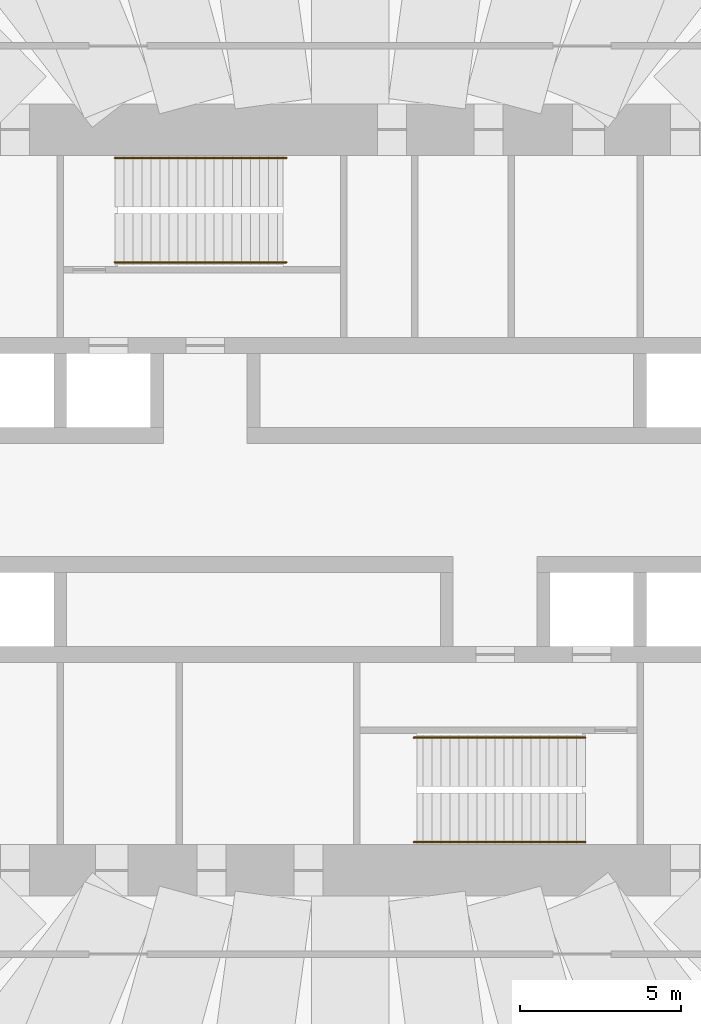
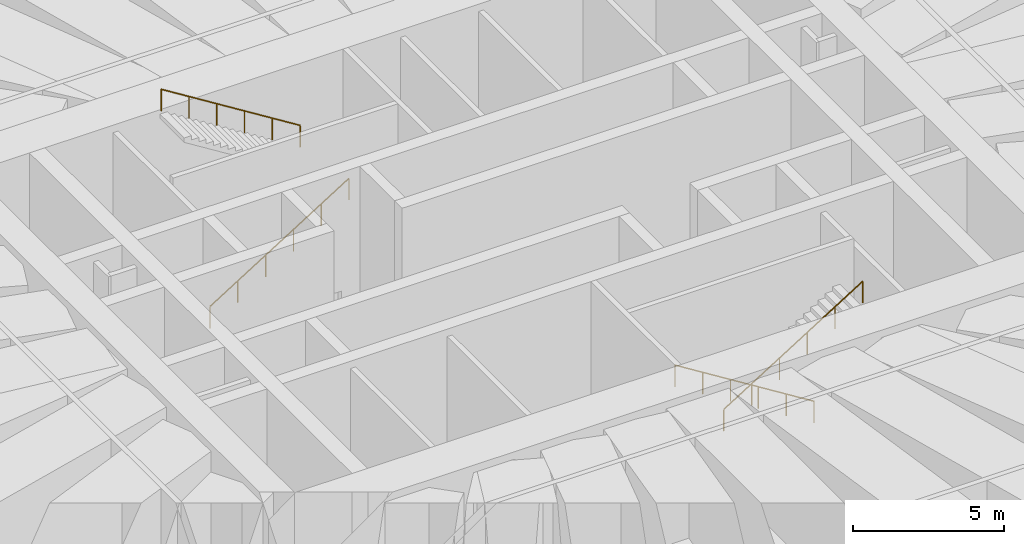
# One storey, part 14 of 14: 4 railings.
"""IFC4 building model written with IfcOpenShell, lengths in metres."""

from ifc_helpers import new_model, si_unit, direction, frame, origin, origin_2d, place, context, subcontext, project, spatial, circle, extrude, material, type_object, element, save


model = new_model("IFC4")

# Units and contexts
model_context = context("Model", 3, precision=1e-05, world=origin(), true_north=direction((0.0, 1.0)))
body_context = subcontext(model_context, "Body", "Model", "MODEL_VIEW")
ifc_project = project(units=[si_unit("LENGTHUNIT", "METRE"), si_unit("AREAUNIT", "SQUARE_METRE"), si_unit("VOLUMEUNIT", "CUBIC_METRE"), si_unit("PLANEANGLEUNIT", "RADIAN"), si_unit("MASSUNIT", "GRAM", prefix="KILO")], contexts=[model_context])

# Site, building, storey
site_placement = place(None, origin())
site = spatial("IfcSite", under=ifc_project, at=site_placement, CompositionType="ELEMENT")
building_placement = place(site_placement, origin())
building = spatial("IfcBuilding", under=site, at=building_placement, Name="Tarfa Lantern Tower", CompositionType="ELEMENT")
storey_placement = place(building_placement, frame((0.0, 0.0, 299.5)))
storey = spatial("IfcBuildingStorey", under=building, at=storey_placement, Name="L68", CompositionType="ELEMENT", Elevation=299.5)

# Railings
ifc_material = material(Name="Stainless steel", Category="steel")
railing_type = type_object("IfcRailingType", Name="HR1 HANDRAIL 900", PredefinedType="HANDRAIL", material=ifc_material)
railing_1_placement = place(storey_placement, frame((-7.300048828125, 7.3798828125, 0.175048828125)))
element("IfcRailing", 1, at=railing_1_placement, inside=storey, type_object=railing_type, Name="Handrail 1", PredefinedType="HANDRAIL", context=body_context, shape_type="SweptSolid", body=[
    extrude(circle(Radius=0.02392578125, at=origin_2d()), frame((0.0, 0.0, 0.8759765625), z_axis=(0.848004862711, 0.0, 0.52998844593), x_axis=(0.0, 1.0, 0.0)), (0.0, 0.0, 1.0), 6.273681640625),
    extrude(circle(Radius=0.02099609375, at=origin_2d()), frame((0.0, 0.0, 0.0), z_axis=(0.0, 0.0, 1.0), x_axis=(0.0, 1.0, 0.0)), (0.0, 0.0, 1.0), 0.851806640625),
    extrude(circle(Radius=0.02099609375, at=origin_2d()), frame((1.06396484375, 0.0, 0.6650390625), z_axis=(0.0, 0.0, 1.0), x_axis=(0.0, 1.0, 0.0)), (0.0, 0.0, 1.0), 0.851806640625),
    extrude(circle(Radius=0.02099609375, at=origin_2d()), frame((2.1279296875, 0.0, 1.330078125), z_axis=(0.0, 0.0, 1.0), x_axis=(0.0, 1.0, 0.0)), (0.0, 0.0, 1.0), 0.851806640625),
    extrude(circle(Radius=0.02099609375, at=origin_2d()), frame((3.192138671875, 0.0, 1.994873046875), z_axis=(0.0, 0.0, 1.0), x_axis=(0.0, 1.0, 0.0)), (0.0, 0.0, 1.0), 0.851806640625),
    extrude(circle(Radius=0.02099609375, at=origin_2d()), frame((4.256103515625, 0.0, 2.659912109375), z_axis=(0.0, 0.0, 1.0), x_axis=(0.0, 1.0, 0.0)), (0.0, 0.0, 1.0), 0.851806640625),
    extrude(circle(Radius=0.02099609375, at=origin_2d()), frame((5.320068359375, 0.0, 3.324951171875), z_axis=(0.0, 0.0, 1.0), x_axis=(0.0, 1.0, 0.0)), (0.0, 0.0, 1.0), 0.851806640625),
])
for number, where, name in (
    (2, (-1.97998046875, 10.6201171875, 3.675048828125), "Handrail 2"),
    (3, (7.300048828125, -7.3798828125, 0.175048828125), "Handrail 1"),
):
    element("IfcRailing", number, at=place(storey_placement, frame(where)), inside=storey, type_object=railing_type, Name=name, PredefinedType="HANDRAIL", context=body_context, shape_type="SweptSolid", body=[
        extrude(circle(Radius=0.02392578125, at=origin_2d()), frame((0.0, 0.0, 0.8759765625), z_axis=(-0.848004862711, 0.0, 0.52998844593), x_axis=(0.0, -1.0, 0.0)), (0.0, 0.0, 1.0), 6.273681640625),
        extrude(circle(Radius=0.02099609375, at=origin_2d()), frame((0.0, 0.0, 0.0), z_axis=(0.0, 0.0, 1.0), x_axis=(0.0, -1.0, 0.0)), (0.0, 0.0, 1.0), 0.851806640625),
        extrude(circle(Radius=0.02099609375, at=origin_2d()), frame((-1.06396484375, 0.0, 0.6650390625), z_axis=(0.0, 0.0, 1.0), x_axis=(0.0, -1.0, 0.0)), (0.0, 0.0, 1.0), 0.851806640625),
        extrude(circle(Radius=0.02099609375, at=origin_2d()), frame((-2.1279296875, 0.0, 1.330078125), z_axis=(0.0, 0.0, 1.0), x_axis=(0.0, -1.0, 0.0)), (0.0, 0.0, 1.0), 0.851806640625),
        extrude(circle(Radius=0.02099609375, at=origin_2d()), frame((-3.192138671875, 0.0, 1.994873046875), z_axis=(0.0, 0.0, 1.0), x_axis=(0.0, -1.0, 0.0)), (0.0, 0.0, 1.0), 0.851806640625),
        extrude(circle(Radius=0.02099609375, at=origin_2d()), frame((-4.256103515625, 0.0, 2.659912109375), z_axis=(0.0, 0.0, 1.0), x_axis=(0.0, -1.0, 0.0)), (0.0, 0.0, 1.0), 0.851806640625),
        extrude(circle(Radius=0.02099609375, at=origin_2d()), frame((-5.320068359375, 0.0, 3.324951171875), z_axis=(0.0, 0.0, 1.0), x_axis=(0.0, -1.0, 0.0)), (0.0, 0.0, 1.0), 0.851806640625),
    ])
railing_2_placement = place(storey_placement, frame((1.97998046875, -10.6201171875, 3.675048828125)))
element("IfcRailing", 4, at=railing_2_placement, inside=storey, type_object=railing_type, Name="Handrail 2", PredefinedType="HANDRAIL", context=body_context, shape_type="SweptSolid", body=[
    extrude(circle(Radius=0.02392578125, at=origin_2d()), frame((0.0, 0.0, 0.8759765625), z_axis=(0.848004862711, 0.0, 0.52998844593), x_axis=(0.0, 1.0, 0.0)), (0.0, 0.0, 1.0), 6.273681640625),
    extrude(circle(Radius=0.02099609375, at=origin_2d()), frame((0.0, 0.0, 0.0), z_axis=(0.0, 0.0, 1.0), x_axis=(0.0, 1.0, 0.0)), (0.0, 0.0, 1.0), 0.851806640625),
    extrude(circle(Radius=0.02099609375, at=origin_2d()), frame((1.06396484375, 0.0, 0.6650390625), z_axis=(0.0, 0.0, 1.0), x_axis=(0.0, 1.0, 0.0)), (0.0, 0.0, 1.0), 0.851806640625),
    extrude(circle(Radius=0.02099609375, at=origin_2d()), frame((2.1279296875, 0.0, 1.330078125), z_axis=(0.0, 0.0, 1.0), x_axis=(0.0, 1.0, 0.0)), (0.0, 0.0, 1.0), 0.851806640625),
    extrude(circle(Radius=0.02099609375, at=origin_2d()), frame((3.192138671875, 0.0, 1.994873046875), z_axis=(0.0, 0.0, 1.0), x_axis=(0.0, 1.0, 0.0)), (0.0, 0.0, 1.0), 0.851806640625),
    extrude(circle(Radius=0.02099609375, at=origin_2d()), frame((4.256103515625, 0.0, 2.659912109375), z_axis=(0.0, 0.0, 1.0), x_axis=(0.0, 1.0, 0.0)), (0.0, 0.0, 1.0), 0.851806640625),
    extrude(circle(Radius=0.02099609375, at=origin_2d()), frame((5.320068359375, 0.0, 3.324951171875), z_axis=(0.0, 0.0, 1.0), x_axis=(0.0, 1.0, 0.0)), (0.0, 0.0, 1.0), 0.851806640625),
])

save(model, "model.ifc")
